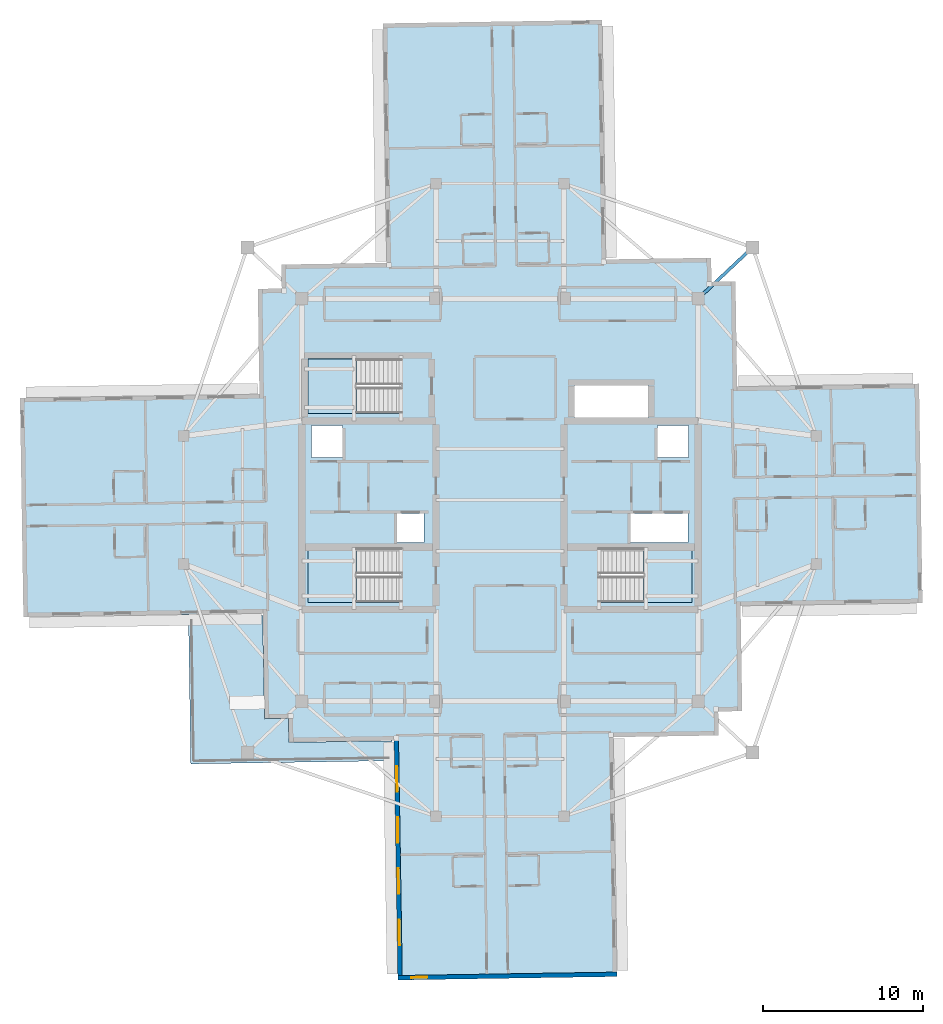
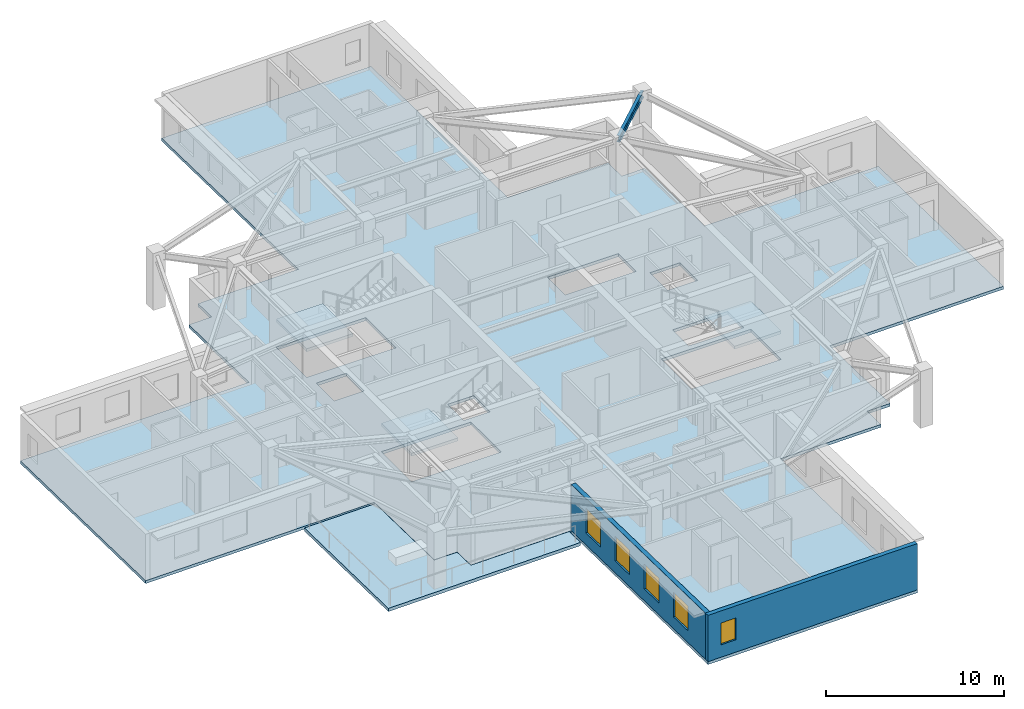
# One storey, part 2 of 12: 5 slabs, 5 windows, 2 walls, 1 beam, 5 openings, 3 elements without a shape of their own.
"""IFC4 building model written with IfcOpenShell, lengths in metres."""

from ifc_helpers import new_model, si_unit, direction, frame, frame_2d, origin, origin_2d, place, context, subcontext, project, spatial, polyline, rectangle, i_section, outline, extrude, material, layer, layer_set, material_profile, profile_set, type_object, element, fill, aggregate, save


model = new_model("IFC4")

# Units and contexts
model_context = context("Model", 3, precision=1e-05, world=origin(), true_north=direction((0.0, 1.0)))
body_context = subcontext(model_context, "Body", "Model", "MODEL_VIEW")
ifc_project = project(units=[si_unit("LENGTHUNIT", "METRE"), si_unit("AREAUNIT", "SQUARE_METRE"), si_unit("VOLUMEUNIT", "CUBIC_METRE"), si_unit("PLANEANGLEUNIT", "RADIAN"), si_unit("MASSUNIT", "GRAM", prefix="KILO")], contexts=[model_context])

# Site, building, storey
site_placement = place(None, origin())
site = spatial("IfcSite", under=ifc_project, at=site_placement, CompositionType="ELEMENT")
building_placement = place(site_placement, origin())
building = spatial("IfcBuilding", under=site, at=building_placement, Name="Qingluan Cross Belvedere", CompositionType="ELEMENT")
storey_placement = place(building_placement, frame((0.0, 0.0, 269.39990234375)))
storey = spatial("IfcBuildingStorey", under=building, at=storey_placement, Name="L67", CompositionType="ELEMENT", Elevation=269.39990234375)

# Beam
ifc_material_1 = material(Name="Steel Q420GJB", Category="steel")
ifc_material_profile = material_profile(ifc_material_1, i_section(OverallWidth=0.199951171875, OverallDepth=0.449951171875, WebThickness=0.009033203125, FlangeThickness=0.013916015625, FilletRadius=0.01611328125, at=origin_2d()), Name="HN450x200x9x14")
ifc_profile_set = profile_set([ifc_material_profile], Name="Steel Q420GJB")
beam_type = type_object("IfcBeamType", Name="Steel_Beam_HN450x200x9x14", PredefinedType="JOIST", material=ifc_profile_set)
beam_placement = place(storey_placement, frame((12.39990234375, 12.60009765625, 3.47509765625), z_axis=(0.728219948308, 0.685343495546, 0.0), x_axis=(-0.685343495546, 0.728219948308, 0.0)))
element("IfcBeam", 1, at=beam_placement, inside=storey, type_object=beam_type, Name="Corner beam 1 L67-RNE", PredefinedType="JOIST", context=body_context, shape_type="SweptSolid", body=[
    extrude(i_section(OverallWidth=0.199951171875, OverallDepth=0.449951171875, WebThickness=0.009033203125, FlangeThickness=0.013916015625, FilletRadius=0.01611328125, at=origin_2d()), origin(), (0.0, 0.0, 1.0), 4.669189453125),
])

# Slab
ifc_material_2 = material(Name="Concrete C40", Category="concrete")
ifc_layer_1 = layer(ifc_material_2, 0.199951171875, Name="FloorSlab_200")
ifc_layer_set_1 = layer_set([ifc_layer_1], Name="Concrete C40")
slab_type_1 = type_object("IfcSlabType", Name="FloorSlab_200", PredefinedType="FLOOR", material=ifc_layer_set_1)
slab_1_placement = place(storey_placement, frame((0.0, 0.0, -0.199951171875)))
element("IfcSlab", 2, at=slab_1_placement, inside=storey, type_object=slab_type_1, Name="Structural floor slab L67", PredefinedType="FLOOR", context=body_context, shape_type="SweptSolid", body=[
    extrude(outline(polyline([(7.3291015625, -29.80859375), (7.09375, -14.830322265625), (13.673095703125, -14.72705078125), (13.6494140625, -13.227294921875), (15.1494140625, -13.20361328125), (15.0458984375, -6.62451171875), (26.424560546875, -6.44580078125), (26.208984375, 7.272705078125), (14.830322265625, 7.09375), (14.72705078125, 13.673095703125), (13.227294921875, 13.6494140625), (13.20361328125, 15.1494140625), (6.62451171875, 15.0458984375), (6.38916015625, 30.024169921875), (-7.3291015625, 29.80859375), (-7.09375, 14.830322265625), (-13.673095703125, 14.72705078125), (-13.6494140625, 13.227294921875), (-15.1494140625, 13.20361328125), (-15.0458984375, 6.62451171875), (-30.024169921875, 6.38916015625), (-29.80859375, -7.3291015625), (-14.830322265625, -7.09375), (-14.72705078125, -13.673095703125), (-13.227294921875, -13.6494140625), (-13.20361328125, -15.1494140625), (-6.62451171875, -15.0458984375), (-6.38916015625, -30.024169921875), (7.3291015625, -29.80859375)]), holes=[polyline([(-12.0, -3.0), (-6.179931640625, -3.0), (-6.179931640625, -6.39990234375), (-12.0, -6.39990234375), (-12.0, -3.0)]), polyline([(6.179931640625, -3.0), (12.0, -3.0), (12.0, -6.39990234375), (6.179931640625, -6.39990234375), (6.179931640625, -3.0)]), polyline([(-12.0, 8.820068359375), (-6.179931640625, 8.820068359375), (-6.179931640625, 5.419921875), (-12.0, 5.419921875), (-12.0, 8.820068359375)]), polyline([(-11.800048828125, 4.64990234375), (-9.85009765625, 4.64990234375), (-9.85009765625, 2.64990234375), (-11.800048828125, 2.64990234375), (-11.800048828125, 4.64990234375)]), polyline([(9.85009765625, 4.64990234375), (11.800048828125, 4.64990234375), (11.800048828125, 2.64990234375), (9.85009765625, 2.64990234375), (9.85009765625, 4.64990234375)]), polyline([(-6.449951171875, -0.840087890625), (-4.75, -0.840087890625), (-4.75, -2.659912109375), (-6.449951171875, -2.659912109375), (-6.449951171875, -0.840087890625)]), polyline([(8.14990234375, -0.840087890625), (11.75, -0.840087890625), (11.75, -2.659912109375), (8.14990234375, -2.659912109375), (8.14990234375, -0.840087890625)]), polyline([(4.64990234375, 7.14990234375), (9.25, 7.14990234375), (9.25, 5.14990234375), (4.64990234375, 5.14990234375), (4.64990234375, 7.14990234375)])]), origin(), (0.0, 0.0, 1.0), 0.199951171875),
])

# Stair, slab
ifc_material_3 = material(Name="Concrete C40", Category="concrete")
stair_type = type_object("IfcStairType", Name="CoreDoglegStair_1620", PredefinedType="HALF_TURN_STAIR", material=ifc_material_3)
stair_1_placement = place(storey_placement, origin())
stair_1 = element("IfcStair", 3, at=stair_1_placement, inside=storey, type_object=stair_type, Name="L67 ST1", PredefinedType="HALF_TURN_STAIR")
ifc_material_4 = material(Name="Concrete C40", Category="concrete")
ifc_layer_2 = layer(ifc_material_4, 0.179931640625, Name="StairLandingSlab_180")
ifc_layer_set_2 = layer_set([ifc_layer_2], Name="Concrete C40")
slab_type_2 = type_object("IfcSlabType", Name="StairLandingSlab_180", PredefinedType="LANDING", material=ifc_layer_set_2)
slab_2_placement = place(storey_placement, frame((0.0, 0.0, 1.75)))
slab_2 = element("IfcSlab", 4, at=slab_2_placement, type_object=slab_type_2, Name="ST1 landing 1", PredefinedType="LANDING", context=body_context, shape_type="SweptSolid", body=[
    extrude(outline(polyline([(-8.97998046875, -3.0), (-12.0, -3.0), (-12.0, -6.39990234375), (-8.97998046875, -6.39990234375), (-8.97998046875, -3.0)])), origin(), (0.0, 0.0, 1.0), 0.2001953125),
])
aggregate(stair_1, [slab_2])

stair_2_placement = place(storey_placement, origin())
stair_2 = element("IfcStair", 5, at=stair_2_placement, inside=storey, type_object=stair_type, Name="L67 ST2", PredefinedType="HALF_TURN_STAIR")
slab_3_placement = place(storey_placement, frame((0.0, 0.0, 1.75)))
slab_3 = element("IfcSlab", 6, at=slab_3_placement, type_object=slab_type_2, Name="ST2 landing 1", PredefinedType="LANDING", context=body_context, shape_type="SweptSolid", body=[
    extrude(outline(polyline([(8.97998046875, -6.39990234375), (12.0, -6.39990234375), (12.0, -3.0), (8.97998046875, -3.0), (8.97998046875, -6.39990234375)])), origin(), (0.0, 0.0, 1.0), 0.2001953125),
])
aggregate(stair_2, [slab_3])

stair_3_placement = place(storey_placement, origin())
stair_3 = element("IfcStair", 7, at=stair_3_placement, inside=storey, type_object=stair_type, Name="L67 ST3", PredefinedType="HALF_TURN_STAIR")
slab_4_placement = place(storey_placement, frame((0.0, 0.0, 1.75)))
slab_4 = element("IfcSlab", 8, at=slab_4_placement, type_object=slab_type_2, Name="ST3 landing 1", PredefinedType="LANDING", context=body_context, shape_type="SweptSolid", body=[
    extrude(outline(polyline([(-8.97998046875, 8.820068359375), (-12.0, 8.820068359375), (-12.0, 5.419921875), (-8.97998046875, 5.419921875), (-8.97998046875, 8.820068359375)])), origin(), (0.0, 0.0, 1.0), 0.2001953125),
])
aggregate(stair_3, [slab_4])

# Slab
ifc_material_5 = material(Name="Concrete C40", Category="concrete")
ifc_layer_3 = layer(ifc_material_5, 0.219970703125, Name="TerraceSlab_220")
ifc_layer_set_3 = layer_set([ifc_layer_3], Name="Concrete C40")
slab_type_3 = type_object("IfcSlabType", Name="TerraceSlab_220", PredefinedType="FLOOR", material=ifc_layer_set_3)
slab_5_placement = place(storey_placement, frame((0.0, 0.0, -0.219970703125)))
element("IfcSlab", 9, at=slab_5_placement, inside=storey, type_object=slab_type_3, Name="Spiralling winter-garden terrace slab L67", PredefinedType="FLOOR", context=body_context, shape_type="SweptSolid", body=[
    extrude(outline(polyline([(-6.764404296875, -15.05810546875), (-13.208984375, -15.15771484375), (-13.237060546875, -13.65966796875), (-14.726806640625, -13.68310546875), (-14.73681640625, -13.675048828125), (-14.838134765625, -7.23388671875), (-19.487548828125, -7.306884765625), (-19.343017578125, -16.505859375), (-6.74462890625, -16.30810546875), (-6.764404296875, -15.05810546875)])), origin(), (0.0, 0.0, 1.0), 0.219970703125),
])

# Wall, openings, windows
ifc_material_6 = material(Name="Precast concrete C45", Category="concrete")
ifc_layer_4 = layer(ifc_material_6, 0.280029296875, Name="PrecastFacadeWall_280")
ifc_layer_set_4 = layer_set([ifc_layer_4], Name="Precast concrete C45")
wall_type = type_object("IfcWallType", Name="PrecastFacadeWall_280", PredefinedType="STANDARD", material=ifc_layer_set_4)
wall_1_placement = place(storey_placement, frame((-6.484619140625, -15.043701171875, 0.0), z_axis=(0.0, 0.0, 1.0), x_axis=(0.015711302158, -0.999876569875, 0.0)))
wall_1 = element("IfcWall", 10, at=wall_1_placement, inside=storey, type_object=wall_type, Name="Facade wall L67-SA", PredefinedType="STANDARD", context=body_context, shape_type="SweptSolid", body=[
    extrude(rectangle(XDim=14.699951171875, YDim=0.280029296875, at=frame_2d((7.35009765625, 0.0))), origin(), (0.0, 0.0, 1.0), 3.18017578125),
])
opening_1_placement = place(wall_1_placement, frame((1.60009765625, 0.0, 0.800048828125)))
opening_1 = element("IfcOpeningElement", 11, at=opening_1_placement, cuts=wall_1, Name="Opening W-04", PredefinedType="OPENING", context=body_context, shape_type="SweptSolid", body=[
    extrude(rectangle(XDim=1.60009765625, YDim=1.699951171875, at=frame_2d((0.800048828125, 0.85009765625))), frame((0.0, 0.14990234375, 0.0), z_axis=(0.0, -1.0, 0.0), x_axis=(1.0, 0.0, 0.0)), (0.0, 0.0, 1.0), 0.300048828125),
])
opening_2_placement = place(wall_1_placement, frame((4.800048828125, 0.0, 0.800048828125)))
opening_2 = element("IfcOpeningElement", 12, at=opening_2_placement, cuts=wall_1, Name="Opening W-04", PredefinedType="OPENING", context=body_context, shape_type="SweptSolid", body=[
    extrude(rectangle(XDim=1.60009765625, YDim=1.699951171875, at=frame_2d((0.800048828125, 0.85009765625))), frame((0.0, 0.14990234375, 0.0), z_axis=(0.0, -1.0, 0.0), x_axis=(1.0, 0.0, 0.0)), (0.0, 0.0, 1.0), 0.300048828125),
])
opening_3_placement = place(wall_1_placement, frame((8.0, 0.0, 0.800048828125)))
opening_3 = element("IfcOpeningElement", 13, at=opening_3_placement, cuts=wall_1, Name="Opening W-04", PredefinedType="OPENING", context=body_context, shape_type="SweptSolid", body=[
    extrude(rectangle(XDim=1.60009765625, YDim=1.699951171875, at=frame_2d((0.800048828125, 0.85009765625))), frame((0.0, 0.14990234375, 0.0), z_axis=(0.0, -1.0, 0.0), x_axis=(1.0, 0.0, 0.0)), (0.0, 0.0, 1.0), 0.300048828125),
])
opening_4_placement = place(wall_1_placement, frame((11.199951171875, 0.0, 0.800048828125)))
opening_4 = element("IfcOpeningElement", 14, at=opening_4_placement, cuts=wall_1, Name="Opening W-04", PredefinedType="OPENING", context=body_context, shape_type="SweptSolid", body=[
    extrude(rectangle(XDim=1.60009765625, YDim=1.699951171875, at=frame_2d((0.800048828125, 0.85009765625))), frame((0.0, 0.14990234375, 0.0), z_axis=(0.0, -1.0, 0.0), x_axis=(1.0, 0.0, 0.0)), (0.0, 0.0, 1.0), 0.300048828125),
])
ifc_material_7 = material(Name="Thermally broken triple Low-E glass in aluminium frame", Category="aluminium")
window_type_1 = type_object("IfcWindowType", Name="SuiteCornerWin_1600x1700", PartitioningType="SINGLE_PANEL", PredefinedType="WINDOW", material=ifc_material_7)
window_1_placement = place(opening_1_placement, origin())
window_1 = element("IfcWindow", 15, at=window_1_placement, inside=storey, type_object=window_type_1, Name="Ribbon window L67-SA-1", OverallHeight=1.699951171875, OverallWidth=1.60009765625, PartitioningType="SINGLE_PANEL", PredefinedType="WINDOW", context=body_context, shape_type="SweptSolid", body=[
    extrude(rectangle(XDim=1.60009765625, YDim=1.699951171875, at=frame_2d((0.800048828125, 0.85009765625))), frame((0.0, 0.030029296875, 0.0), z_axis=(0.0, -1.0, 0.0), x_axis=(1.0, 0.0, 0.0)), (0.0, 0.0, 1.0), 0.06005859375),
])
fill(opening_1, window_1)
window_2_placement = place(opening_2_placement, origin())
window_2 = element("IfcWindow", 16, at=window_2_placement, inside=storey, type_object=window_type_1, Name="Ribbon window L67-SA-2", OverallHeight=1.699951171875, OverallWidth=1.60009765625, PartitioningType="SINGLE_PANEL", PredefinedType="WINDOW", context=body_context, shape_type="SweptSolid", body=[
    extrude(rectangle(XDim=1.60009765625, YDim=1.699951171875, at=frame_2d((0.800048828125, 0.85009765625))), frame((0.0, 0.030029296875, 0.0), z_axis=(0.0, -1.0, 0.0), x_axis=(1.0, 0.0, 0.0)), (0.0, 0.0, 1.0), 0.06005859375),
])
fill(opening_2, window_2)
window_3_placement = place(opening_3_placement, origin())
window_3 = element("IfcWindow", 17, at=window_3_placement, inside=storey, type_object=window_type_1, Name="Ribbon window L67-SA-3", OverallHeight=1.699951171875, OverallWidth=1.60009765625, PartitioningType="SINGLE_PANEL", PredefinedType="WINDOW", context=body_context, shape_type="SweptSolid", body=[
    extrude(rectangle(XDim=1.60009765625, YDim=1.699951171875, at=frame_2d((0.800048828125, 0.85009765625))), frame((0.0, 0.030029296875, 0.0), z_axis=(0.0, -1.0, 0.0), x_axis=(1.0, 0.0, 0.0)), (0.0, 0.0, 1.0), 0.06005859375),
])
fill(opening_3, window_3)
window_4_placement = place(opening_4_placement, origin())
window_4 = element("IfcWindow", 18, at=window_4_placement, inside=storey, type_object=window_type_1, Name="Ribbon window L67-SA-4", OverallHeight=1.699951171875, OverallWidth=1.60009765625, PartitioningType="SINGLE_PANEL", PredefinedType="WINDOW", context=body_context, shape_type="SweptSolid", body=[
    extrude(rectangle(XDim=1.60009765625, YDim=1.699951171875, at=frame_2d((0.800048828125, 0.85009765625))), frame((0.0, 0.030029296875, 0.0), z_axis=(0.0, -1.0, 0.0), x_axis=(1.0, 0.0, 0.0)), (0.0, 0.0, 1.0), 0.06005859375),
])
fill(opening_4, window_4)

# Wall, opening, window
wall_2_placement = place(storey_placement, frame((-6.391357421875, -29.884033203125, 0.0), z_axis=(0.0, 0.0, 1.0), x_axis=(0.999876828887, 0.015694809807, 0.0)))
wall_2 = element("IfcWall", 19, at=wall_2_placement, inside=storey, type_object=wall_type, Name="Arm tip precast facade wall L67-S", PredefinedType="STANDARD", context=body_context, shape_type="SweptSolid", body=[
    extrude(rectangle(XDim=13.719970703125, YDim=0.280029296875, at=frame_2d((6.85986328125, 0.0))), origin(), (0.0, 0.0, 1.0), 3.18017578125),
])
opening_5_placement = place(wall_2_placement, frame((0.85009765625, 0.0, 0.85009765625)))
opening_5 = element("IfcOpeningElement", 20, at=opening_5_placement, cuts=wall_2, Name="Opening W-03", PredefinedType="OPENING", context=body_context, shape_type="SweptSolid", body=[
    extrude(rectangle(XDim=1.0, YDim=1.5, at=frame_2d((0.5, 0.75))), frame((0.0, 0.14990234375, 0.0), z_axis=(0.0, -1.0, 0.0), x_axis=(1.0, 0.0, 0.0)), (0.0, 0.0, 1.0), 0.300048828125),
])
ifc_material_8 = material(Name="Thermally broken triple Low-E glass in aluminium frame", Category="aluminium")
window_type_2 = type_object("IfcWindowType", Name="TriApexWin_1000x1500", PartitioningType="SINGLE_PANEL", PredefinedType="WINDOW", material=ifc_material_8)
window_5_placement = place(opening_5_placement, origin())
window_5 = element("IfcWindow", 21, at=window_5_placement, inside=storey, type_object=window_type_2, Name="Arm tip triangular window L67-S", OverallHeight=1.5, OverallWidth=1.0, PartitioningType="SINGLE_PANEL", PredefinedType="WINDOW", context=body_context, shape_type="SweptSolid", body=[
    extrude(rectangle(XDim=1.0, YDim=1.5, at=frame_2d((0.5, 0.75))), frame((0.0, 0.030029296875, 0.0), z_axis=(0.0, -1.0, 0.0), x_axis=(1.0, 0.0, 0.0)), (0.0, 0.0, 1.0), 0.06005859375),
])
fill(opening_5, window_5)

save(model, "model.ifc")
